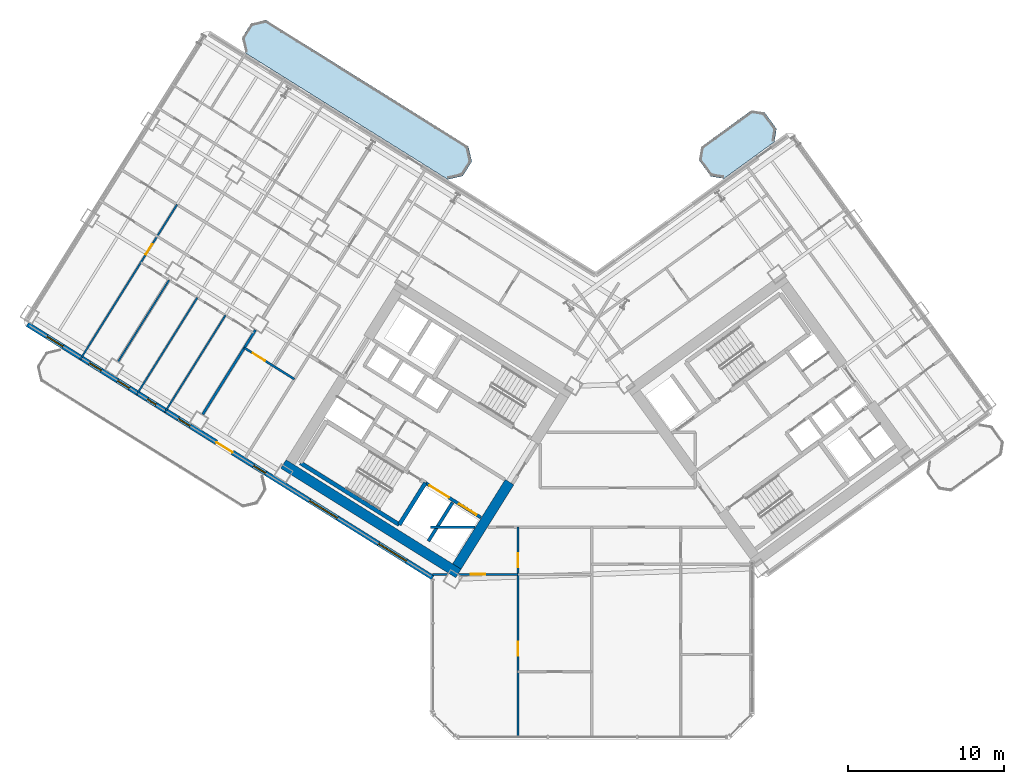
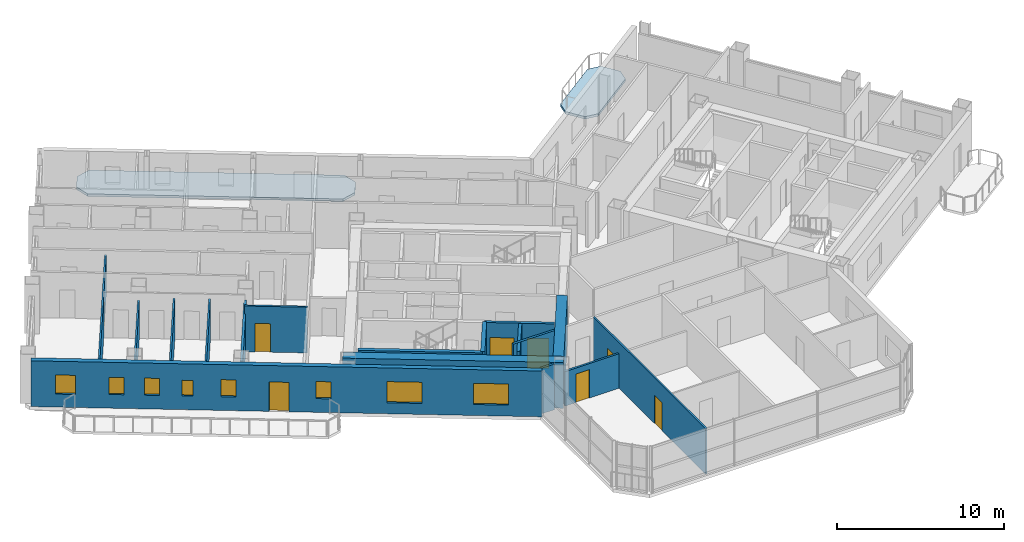
# One storey, part 11 of 21: 17 walls, 8 doors, 8 windows, 2 slabs, 16 openings.
"""IFC4 building model written with IfcOpenShell, lengths in metres."""

from ifc_helpers import new_model, si_unit, direction, frame, frame_2d, origin, place, context, subcontext, project, spatial, polyline, rectangle, outline, extrude, source, transform, mapped, material, layer, layer_set, type_object, element, fill, save


model = new_model("IFC4")

# Units and contexts
model_context = context("Model", 3, precision=1e-05, world=origin(), true_north=direction((0.0, 1.0)))
body_context = subcontext(model_context, "Body", "Model", "MODEL_VIEW")
ifc_project = project(units=[si_unit("LENGTHUNIT", "METRE"), si_unit("AREAUNIT", "SQUARE_METRE"), si_unit("VOLUMEUNIT", "CUBIC_METRE"), si_unit("PLANEANGLEUNIT", "RADIAN"), si_unit("MASSUNIT", "GRAM", prefix="KILO")], contexts=[model_context])

# Site, building, storey
site_placement = place(None, origin())
site = spatial("IfcSite", under=ifc_project, at=site_placement, CompositionType="ELEMENT")
building_placement = place(site_placement, origin())
building = spatial("IfcBuilding", under=site, at=building_placement, Name="Tlacorven Tower", CompositionType="ELEMENT")
storey_placement = place(building_placement, frame((0.0, 0.0, 90.0)))
storey = spatial("IfcBuildingStorey", under=building, at=storey_placement, Name="L22", CompositionType="ELEMENT", Elevation=90.0)

# Slabs
ifc_material_1 = material(Name="Precast concrete C45/55", Category="concrete")
ifc_layer_1 = layer(ifc_material_1, 0.179931640625)
ifc_layer_set_1 = layer_set([ifc_layer_1], Name="Precast concrete C45/55")
slab_type = type_object("IfcSlabType", Name="SL-BAL-180", PredefinedType="USERDEFINED", material=ifc_layer_set_1)
slab_1_placement = place(storey_placement, frame((0.0, 0.0, -0.179931640625)))
element("IfcSlab", 1, at=slab_1_placement, inside=storey, type_object=slab_type, Name="L22 West Wing Balcony Ribbon IN", ObjectType="BALCONY SLAB", PredefinedType="USERDEFINED", context=body_context, shape_type="SweptSolid", body=[
    extrude(outline(polyline([(34.0419921875, 39.835693359375), (21.06689453125, 47.943359375), (20.102294921875, 47.720703125), (19.52197265625, 46.7919921875), (19.744873046875, 45.827392578125), (32.719970703125, 37.7197265625), (33.6845703125, 37.9423828125), (34.2646484375, 38.87109375), (34.0419921875, 39.835693359375)])), origin(), (0.0, 0.0, 1.0), 0.179931640625),
])
slab_2_placement = place(storey_placement, frame((0.0, 0.0, -0.179931640625)))
element("IfcSlab", 2, at=slab_2_placement, inside=storey, type_object=slab_type, Name="L22 East Wing Balcony Ribbon IN", ObjectType="BALCONY SLAB", PredefinedType="USERDEFINED", context=body_context, shape_type="SweptSolid", body=[
    extrude(outline(polyline([(50.433837890625, 37.77880859375), (53.669921875, 40.1298828125), (53.802490234375, 40.968017578125), (53.04150390625, 42.015625), (52.203369140625, 42.1484375), (48.96728515625, 39.79736328125), (48.83447265625, 38.959228515625), (49.595703125, 37.91162109375), (50.433837890625, 37.77880859375)])), origin(), (0.0, 0.0, 1.0), 0.179931640625),
])

# Walls
ifc_material_2 = material(Name="Concrete C60/75", Category="concrete")
ifc_layer_2 = layer(ifc_material_2, 0.64990234375)
ifc_layer_set_2 = layer_set([ifc_layer_2], Name="Concrete C60/75")
wall_type_1 = type_object("IfcWallType", Name="WL-COR-650", PredefinedType="SHEAR", material=ifc_layer_set_2)
wall_1_placement = place(storey_placement, frame((33.40869140625, 12.449951171875, 0.0), z_axis=(0.0, 0.0, 1.0), x_axis=(-0.848051132073, 0.529914405721, 0.0)))
element("IfcWall", 3, at=wall_1_placement, inside=storey, type_object=wall_type_1, Name="L22 W core shear wall S2", PredefinedType="SHEAR", context=body_context, shape_type="SweptSolid", body=[
    extrude(rectangle(XDim=13.239990234375, YDim=0.64990234375, at=frame_2d((6.6201171875, 0.0))), origin(), (0.0, 0.0, 1.0), 3.35009765625),
])
wall_2_placement = place(storey_placement, frame((36.683349609375, 18.30419921875, 0.0), z_axis=(0.0, 0.0, 1.0), x_axis=(-0.529899109053, -0.848060690178, 0.0)))
element("IfcWall", 4, at=wall_2_placement, inside=storey, type_object=wall_type_1, Name="L22 W core end wall E1.2", PredefinedType="SHEAR", context=body_context, shape_type="SweptSolid", body=[
    extrude(rectangle(XDim=6.375244140625, YDim=0.64990234375, at=frame_2d((3.1875, 0.0))), origin(), (0.0, 0.0, 1.0), 3.35009765625),
])
ifc_material_3 = material(Name="Gypsum plasterboard acoustic partition", Category="gypsum")
ifc_layer_3 = layer(ifc_material_3, 0.159912109375)
ifc_layer_set_3 = layer_set([ifc_layer_3], Name="Gypsum plasterboard acoustic partition")
wall_type_2 = type_object("IfcWallType", Name="WL-DEM-160", PredefinedType="PARTITIONING", material=ifc_layer_set_3)
wall_3_placement = place(storey_placement, frame((20.38720703125, 28.060302734375, 0.0), z_axis=(0.0, 0.0, 1.0), x_axis=(-0.529902564924, -0.848058530814, 0.0)))
element("IfcWall", 5, at=wall_3_placement, inside=storey, type_object=wall_type_2, Name="L22 WN Demising Wall 1", PredefinedType="PARTITIONING", context=body_context, shape_type="SweptSolid", body=[
    extrude(rectangle(XDim=6.3759765625, YDim=0.159912109375, at=frame_2d((3.18798828125, 0.0))), origin(), (0.0, 0.0, 1.0), 2.77490234375),
])
wall_4_placement = place(storey_placement, frame((31.60009765625, 15.419921875, 0.0), z_axis=(0.0, 0.0, 1.0), x_axis=(1.0, 0.0, 0.0)))
element("IfcWall", 6, at=wall_4_placement, inside=storey, type_object=wall_type_2, Name="L22 Knuckle Corridor South Wall", PredefinedType="PARTITIONING", context=body_context, shape_type="SweptSolid", body=[
    extrude(rectangle(XDim=2.8662109375, YDim=0.159912109375, at=frame_2d((1.43310546875, 0.0))), origin(), (0.0, 0.0, 1.0), 3.340087890625),
])

# Wall, openings, door, windows
ifc_layer_4 = layer(ifc_material_1, 0.320068359375)
ifc_layer_set_4 = layer_set([ifc_layer_4], Name="Precast concrete C45/55")
wall_type_3 = type_object("IfcWallType", Name="WL-EXT-320", PredefinedType="STANDARD", material=ifc_layer_set_4)
wall_5_placement = place(storey_placement, frame((31.760009765625, 12.18310546875, 0.0), z_axis=(0.0, 0.0, 1.0), x_axis=(-0.848047074256, 0.529920899612, 0.0)))
wall_5 = element("IfcWall", 7, at=wall_5_placement, inside=storey, type_object=wall_type_3, Name="L22 Masonry-Frame Recessed Facade Wall 1", PredefinedType="STANDARD", context=body_context, shape_type="SweptSolid", body=[
    extrude(rectangle(XDim=30.652099609375, YDim=0.320068359375, at=frame_2d((15.326171875, 0.0))), origin(), (0.0, 0.0, 1.0), 3.35009765625),
])
opening_1_placement = place(wall_5_placement, frame((15.1533203125, 0.0, 0.0)))
opening_1 = element("IfcOpeningElement", 8, at=opening_1_placement, cuts=wall_5, Name="Opening D05", PredefinedType="OPENING", context=body_context, shape_type="SweptSolid", body=[
    extrude(rectangle(XDim=1.199951171875, YDim=2.14990234375, at=frame_2d((0.60009765625, 1.074951171875))), frame((0.0, 0.169921875, 0.0), z_axis=(0.0, -1.0, 0.0), x_axis=(1.0, 0.0, 0.0)), (0.0, 0.0, 1.0), 0.340087890625),
])
opening_2_placement = place(wall_5_placement, frame((2.002197265625, 0.0, 0.800048828125)))
opening_2 = element("IfcOpeningElement", 9, at=opening_2_placement, cuts=wall_5, Name="Opening WN04", PredefinedType="OPENING", context=body_context, shape_type="SweptSolid", body=[
    extrude(rectangle(XDim=2.10009765625, YDim=1.550048828125, at=frame_2d((1.050048828125, 0.77490234375))), frame((0.0, 0.169921875, 0.0), z_axis=(0.0, -1.0, 0.0), x_axis=(1.0, 0.0, 0.0)), (0.0, 0.0, 1.0), 0.340087890625),
])
opening_3_placement = place(wall_5_placement, frame((7.206298828125, 0.0, 0.800048828125)))
opening_3 = element("IfcOpeningElement", 10, at=opening_3_placement, cuts=wall_5, Name="Opening WN04", PredefinedType="OPENING", context=body_context, shape_type="SweptSolid", body=[
    extrude(rectangle(XDim=2.10009765625, YDim=1.550048828125, at=frame_2d((1.050048828125, 0.77490234375))), frame((0.0, 0.169921875, 0.0), z_axis=(0.0, -1.0, 0.0), x_axis=(1.0, 0.0, 0.0)), (0.0, 0.0, 1.0), 0.340087890625),
])
opening_4_placement = place(wall_5_placement, frame((12.648193359375, 0.0, 1.0)))
opening_4 = element("IfcOpeningElement", 11, at=opening_4_placement, cuts=wall_5, Name="Opening WN05", PredefinedType="OPENING", context=body_context, shape_type="SweptSolid", body=[
    extrude(rectangle(XDim=0.89990234375, YDim=1.25, at=frame_2d((0.449951171875, 0.625))), frame((0.0, 0.169921875, 0.0), z_axis=(0.0, -1.0, 0.0), x_axis=(1.0, 0.0, 0.0)), (0.0, 0.0, 1.0), 0.340087890625),
])
opening_5_placement = place(wall_5_placement, frame((27.974365234375, 0.0, 0.949951171875)))
opening_5 = element("IfcOpeningElement", 12, at=opening_5_placement, cuts=wall_5, Name="Opening WN03", PredefinedType="OPENING", context=body_context, shape_type="SweptSolid", body=[
    extrude(rectangle(XDim=1.199951171875, YDim=1.39990234375, at=frame_2d((0.60009765625, 0.699951171875))), frame((0.0, 0.169921875, 0.0), z_axis=(0.0, -1.0, 0.0), x_axis=(1.0, 0.0, 0.0)), (0.0, 0.0, 1.0), 0.340087890625),
])
opening_6_placement = place(wall_5_placement, frame((18.3466796875, 0.0, 1.0)))
opening_6 = element("IfcOpeningElement", 13, at=opening_6_placement, cuts=wall_5, Name="Opening WN05", PredefinedType="OPENING", context=body_context, shape_type="SweptSolid", body=[
    extrude(rectangle(XDim=0.89990234375, YDim=1.25, at=frame_2d((0.449951171875, 0.625))), frame((0.0, 0.169921875, 0.0), z_axis=(0.0, -1.0, 0.0), x_axis=(1.0, 0.0, 0.0)), (0.0, 0.0, 1.0), 0.340087890625),
])
opening_7_placement = place(wall_5_placement, frame((20.931396484375, 0.0, 1.0)))
opening_7 = element("IfcOpeningElement", 14, at=opening_7_placement, cuts=wall_5, Name="Opening WN21", PredefinedType="OPENING", context=body_context, shape_type="SweptSolid", body=[
    extrude(rectangle(XDim=0.64990234375, YDim=1.14990234375, at=frame_2d((0.324951171875, 0.574951171875))), frame((0.0, 0.169921875, 0.0), z_axis=(0.0, -1.0, 0.0), x_axis=(1.0, 0.0, 0.0)), (0.0, 0.0, 1.0), 0.340087890625),
])
opening_8_placement = place(wall_5_placement, frame((22.937744140625, 0.0, 1.0)))
opening_8 = element("IfcOpeningElement", 15, at=opening_8_placement, cuts=wall_5, Name="Opening WN05", PredefinedType="OPENING", context=body_context, shape_type="SweptSolid", body=[
    extrude(rectangle(XDim=0.89990234375, YDim=1.25, at=frame_2d((0.449951171875, 0.625))), frame((0.0, 0.169921875, 0.0), z_axis=(0.0, -1.0, 0.0), x_axis=(1.0, 0.0, 0.0)), (0.0, 0.0, 1.0), 0.340087890625),
])
opening_9_placement = place(wall_5_placement, frame((25.0693359375, 0.0, 1.0)))
opening_9 = element("IfcOpeningElement", 16, at=opening_9_placement, cuts=wall_5, Name="Opening WN05", PredefinedType="OPENING", context=body_context, shape_type="SweptSolid", body=[
    extrude(rectangle(XDim=0.89990234375, YDim=1.25, at=frame_2d((0.449951171875, 0.625))), frame((0.0, 0.169921875, 0.0), z_axis=(0.0, -1.0, 0.0), x_axis=(1.0, 0.0, 0.0)), (0.0, 0.0, 1.0), 0.340087890625),
])
ifc_material_4 = material(Name="Powder-coated aluminium and timber door", Category="wood")
door_type_1 = type_object("IfcDoorType", Name="DR-EXT-BALC-1200", OperationType="NOTDEFINED", PredefinedType="DOOR", material=ifc_material_4)
shared_shape_1 = source(origin(), body_context, "Body", "SweptSolid", [
    extrude(rectangle(XDim=1.199951171875, YDim=2.14990234375, at=frame_2d((0.60009765625, 1.074951171875))), frame((0.0, 0.02490234375, 0.0), z_axis=(0.0, -1.0, 0.0), x_axis=(1.0, 0.0, 0.0)), (0.0, 0.0, 1.0), 0.050048828125),
])
door_1_placement = place(opening_1_placement, origin())
door_1 = element("IfcDoor", 17, at=door_1_placement, inside=storey, type_object=door_type_1, Name="L22 Outdoor Access Door BAL-L22-W-OUT", OperationType="SINGLE_SWING_LEFT", OverallHeight=2.14990234375, OverallWidth=1.199951171875, PredefinedType="DOOR", context=body_context, shape_type="MappedRepresentation", body=[
    mapped(shared_shape_1, transform((0.0, 0.0, 0.0), scale=1.0)),
])
fill(opening_1, door_1)
ifc_material_5 = material(Name="Dark solar low-E double glazing in anodised aluminium frame", Category="aluminium")
window_type_1 = type_object("IfcWindowType", Name="WN-APT-2100X1750", PartitioningType="SINGLE_PANEL", PredefinedType="WINDOW", material=ifc_material_5)
shared_shape_2 = source(origin(), body_context, "Body", "SweptSolid", [
    extrude(rectangle(XDim=2.10009765625, YDim=1.550048828125, at=frame_2d((1.050048828125, 0.77490234375))), frame((0.0, 0.030029296875, 0.0), z_axis=(0.0, -1.0, 0.0), x_axis=(1.0, 0.0, 0.0)), (0.0, 0.0, 1.0), 0.06005859375),
])
window_1_placement = place(opening_2_placement, origin())
window_1 = element("IfcWindow", 18, at=window_1_placement, inside=storey, type_object=window_type_1, Name="L22 Recessed Masonry-Frame Window L22-01.1", OverallHeight=1.550048828125, OverallWidth=2.10009765625, PartitioningType="SINGLE_PANEL", PredefinedType="WINDOW", context=body_context, shape_type="MappedRepresentation", body=[
    mapped(shared_shape_2, transform((0.0, 0.0, 0.0), scale=1.0)),
])
fill(opening_2, window_1)
window_2_placement = place(opening_3_placement, origin())
window_2 = element("IfcWindow", 19, at=window_2_placement, inside=storey, type_object=window_type_1, Name="L22 Recessed Masonry-Frame Window L22-01.2", OverallHeight=1.550048828125, OverallWidth=2.10009765625, PartitioningType="SINGLE_PANEL", PredefinedType="WINDOW", context=body_context, shape_type="MappedRepresentation", body=[
    mapped(shared_shape_2, transform((0.0, 0.0, 0.0), scale=1.0)),
])
fill(opening_3, window_2)
window_type_2 = type_object("IfcWindowType", Name="WN-APT-1200X1500", PartitioningType="SINGLE_PANEL", PredefinedType="WINDOW", material=ifc_material_5)
shared_shape_3 = source(origin(), body_context, "Body", "SweptSolid", [
    extrude(rectangle(XDim=1.199951171875, YDim=1.39990234375, at=frame_2d((0.60009765625, 0.699951171875))), frame((0.0, 0.030029296875, 0.0), z_axis=(0.0, -1.0, 0.0), x_axis=(1.0, 0.0, 0.0)), (0.0, 0.0, 1.0), 0.06005859375),
])
window_3_placement = place(opening_5_placement, origin())
window_3 = element("IfcWindow", 20, at=window_3_placement, inside=storey, type_object=window_type_2, Name="L22 Recessed Masonry-Frame Window L22-01.4", OverallHeight=1.39990234375, OverallWidth=1.199951171875, PartitioningType="SINGLE_PANEL", PredefinedType="WINDOW", context=body_context, shape_type="MappedRepresentation", body=[
    mapped(shared_shape_3, transform((0.0, 0.0, 0.0), scale=1.0)),
])
fill(opening_5, window_3)
window_type_3 = type_object("IfcWindowType", Name="WN-APT-0900X1350", PartitioningType="SINGLE_PANEL", PredefinedType="WINDOW", material=ifc_material_5)
shared_shape_4 = source(origin(), body_context, "Body", "SweptSolid", [
    extrude(rectangle(XDim=0.89990234375, YDim=1.25, at=frame_2d((0.449951171875, 0.625))), frame((0.0, 0.030029296875, 0.0), z_axis=(0.0, -1.0, 0.0), x_axis=(1.0, 0.0, 0.0)), (0.0, 0.0, 1.0), 0.06005859375),
])
window_4_placement = place(opening_4_placement, origin())
window_4 = element("IfcWindow", 21, at=window_4_placement, inside=storey, type_object=window_type_3, Name="L22 Recessed Masonry-Frame Window L22-01.3", OverallHeight=1.25, OverallWidth=0.89990234375, PartitioningType="SINGLE_PANEL", PredefinedType="WINDOW", context=body_context, shape_type="MappedRepresentation", body=[
    mapped(shared_shape_4, transform((0.0, 0.0, 0.0), scale=1.0)),
])
fill(opening_4, window_4)
window_5_placement = place(opening_6_placement, origin())
window_5 = element("IfcWindow", 22, at=window_5_placement, inside=storey, type_object=window_type_3, Name="L22 Dwelling Daylight Window L22-U02-BD1", OverallHeight=1.25, OverallWidth=0.89990234375, PartitioningType="SINGLE_PANEL", PredefinedType="WINDOW", context=body_context, shape_type="MappedRepresentation", body=[
    mapped(shared_shape_4, transform((0.0, 0.0, 0.0), scale=1.0)),
])
fill(opening_6, window_5)
window_6_placement = place(opening_8_placement, origin())
window_6 = element("IfcWindow", 23, at=window_6_placement, inside=storey, type_object=window_type_3, Name="L22 Dwelling Daylight Window L22-U02-BD3", OverallHeight=1.25, OverallWidth=0.89990234375, PartitioningType="SINGLE_PANEL", PredefinedType="WINDOW", context=body_context, shape_type="MappedRepresentation", body=[
    mapped(shared_shape_4, transform((0.0, 0.0, 0.0), scale=1.0)),
])
fill(opening_8, window_6)
window_7_placement = place(opening_9_placement, origin())
window_7 = element("IfcWindow", 24, at=window_7_placement, inside=storey, type_object=window_type_3, Name="L22 Dwelling Daylight Window L22-U02-BD4", OverallHeight=1.25, OverallWidth=0.89990234375, PartitioningType="SINGLE_PANEL", PredefinedType="WINDOW", context=body_context, shape_type="MappedRepresentation", body=[
    mapped(shared_shape_4, transform((0.0, 0.0, 0.0), scale=1.0)),
])
fill(opening_9, window_7)
window_type_4 = type_object("IfcWindowType", Name="WN-APT-0650X1150", PartitioningType="SINGLE_PANEL", PredefinedType="WINDOW", material=ifc_material_5)
shared_shape_5 = source(origin(), body_context, "Body", "SweptSolid", [
    extrude(rectangle(XDim=0.64990234375, YDim=1.14990234375, at=frame_2d((0.324951171875, 0.574951171875))), frame((0.0, 0.030029296875, 0.0), z_axis=(0.0, -1.0, 0.0), x_axis=(1.0, 0.0, 0.0)), (0.0, 0.0, 1.0), 0.06005859375),
])
window_8_placement = place(opening_7_placement, origin())
window_8 = element("IfcWindow", 25, at=window_8_placement, inside=storey, type_object=window_type_4, Name="L22 Dwelling Daylight Window L22-U02-BD2", OverallHeight=1.14990234375, OverallWidth=0.64990234375, PartitioningType="SINGLE_PANEL", PredefinedType="WINDOW", context=body_context, shape_type="MappedRepresentation", body=[
    mapped(shared_shape_5, transform((0.0, 0.0, 0.0), scale=1.0)),
])
fill(opening_7, window_8)

# Wall, opening, door
ifc_material_6 = material(Name="Gypsum plasterboard partition", Category="gypsum")
ifc_layer_5 = layer(ifc_material_6, 0.110107421875)
ifc_layer_set_5 = layer_set([ifc_layer_5], Name="Gypsum plasterboard partition")
wall_type_4 = type_object("IfcWallType", Name="WL-INT-110", PredefinedType="PARTITIONING", material=ifc_layer_set_5)
wall_6_placement = place(storey_placement, frame((15.361328125, 36.1083984375, 0.0), z_axis=(0.0, 0.0, 1.0), x_axis=(-0.529912802348, -0.848052133956, 0.0)))
wall_6 = element("IfcWall", 26, at=wall_6_placement, inside=storey, type_object=wall_type_4, Name="L22 partition 59", PredefinedType="PARTITIONING", context=body_context, shape_type="SweptSolid", body=[
    extrude(rectangle(XDim=11.7197265625, YDim=0.110107421875, at=frame_2d((5.85986328125, 0.0))), origin(), (0.0, 0.0, 1.0), 2.9951171875),
])
opening_10_placement = place(wall_6_placement, frame((3.0, 0.0, 0.0)))
opening_10 = element("IfcOpeningElement", 27, at=opening_10_placement, cuts=wall_6, Name="Opening D22", PredefinedType="OPENING", context=body_context, shape_type="SweptSolid", body=[
    extrude(rectangle(XDim=0.780029296875, YDim=2.050048828125, at=frame_2d((0.39013671875, 1.02490234375))), frame((0.0, 0.06494140625, 0.0), z_axis=(0.0, -1.0, 0.0), x_axis=(1.0, 0.0, 0.0)), (0.0, 0.0, 1.0), 0.130126953125),
])
door_type_2 = type_object("IfcDoorType", Name="DR-INT-WET-0780", OperationType="NOTDEFINED", PredefinedType="DOOR", material=ifc_material_4)
shared_shape_6 = source(origin(), body_context, "Body", "SweptSolid", [
    extrude(rectangle(XDim=0.780029296875, YDim=2.050048828125, at=frame_2d((0.39013671875, 1.02490234375))), frame((0.0, 0.02490234375, 0.0), z_axis=(0.0, -1.0, 0.0), x_axis=(1.0, 0.0, 0.0)), (0.0, 0.0, 1.0), 0.050048828125),
])
door_2_placement = place(opening_10_placement, origin())
door_2 = element("IfcDoor", 28, at=door_2_placement, inside=storey, type_object=door_type_2, Name="L22 door 029", OperationType="SINGLE_SWING_LEFT", OverallHeight=2.050048828125, OverallWidth=0.780029296875, PredefinedType="DOOR", context=body_context, shape_type="MappedRepresentation", body=[
    mapped(shared_shape_6, transform((0.0, 0.0, 0.0), scale=1.0)),
])
fill(opening_10, door_2)

# Walls
for number, where, z_axis, x_axis, name in (
    (29, (18.463623046875, 29.005126953125, 0.0), (0.0, 0.0, 1.0), (-0.529927182287, -0.848043148356, 0.0), "L22 partition 65"),
    (30, (16.655517578125, 30.135009765625, 0.0), (0.0, 0.0, 1.0), (-0.529927182287, -0.848043148356, 0.0), "L22 partition 66"),
):
    element("IfcWall", number, at=place(storey_placement, frame(where, z_axis=z_axis, x_axis=x_axis)), inside=storey, type_object=wall_type_4, Name=name, PredefinedType="PARTITIONING", context=body_context, shape_type="SweptSolid", body=[
        extrude(rectangle(XDim=7.340087890625, YDim=0.110107421875, at=frame_2d((3.669921875, 0.0))), origin(), (0.0, 0.0, 1.0), 2.9951171875),
    ])
wall_7_placement = place(storey_placement, frame((14.848388671875, 31.26416015625, 0.0), z_axis=(0.0, 0.0, 1.0), x_axis=(-0.529920534869, -0.848047302174, 0.0)))
element("IfcWall", 31, at=wall_7_placement, inside=storey, type_object=wall_type_4, Name="L22 partition 67", PredefinedType="PARTITIONING", context=body_context, shape_type="SweptSolid", body=[
    extrude(rectangle(XDim=6.157958984375, YDim=0.110107421875, at=frame_2d((3.0791015625, 0.0))), origin(), (0.0, 0.0, 1.0), 2.77490234375),
])

# Wall, openings, doors
wall_8_placement = place(storey_placement, frame((37.221923828125, 1.9599609375, 0.0), z_axis=(0.0, 0.0, 1.0), x_axis=(0.0, 1.0, 0.0)))
wall_8 = element("IfcWall", 32, at=wall_8_placement, inside=storey, type_object=wall_type_4, Name="L22 partition 91", PredefinedType="PARTITIONING", context=body_context, shape_type="SweptSolid", body=[
    extrude(rectangle(XDim=13.4599609375, YDim=0.110107421875, at=frame_2d((6.72998046875, 0.0))), origin(), (0.0, 0.0, 1.0), 3.340087890625),
])
opening_11_placement = place(wall_8_placement, frame((5.199951171875, 0.0, 0.0)))
opening_11 = element("IfcOpeningElement", 33, at=opening_11_placement, cuts=wall_8, Name="Opening D12", PredefinedType="OPENING", context=body_context, shape_type="SweptSolid", body=[
    extrude(rectangle(XDim=0.919921875, YDim=2.080078125, at=frame_2d((0.4599609375, 1.0400390625))), frame((0.0, 0.06494140625, 0.0), z_axis=(0.0, -1.0, 0.0), x_axis=(1.0, 0.0, 0.0)), (0.0, 0.0, 1.0), 0.130126953125),
])
opening_12_placement = place(wall_8_placement, frame((10.889892578125, 0.0, 0.0)))
opening_12 = element("IfcOpeningElement", 34, at=opening_12_placement, cuts=wall_8, Name="Opening D13", PredefinedType="OPENING", context=body_context, shape_type="SweptSolid", body=[
    extrude(rectangle(XDim=0.8798828125, YDim=2.080078125, at=frame_2d((0.43994140625, 1.0400390625))), frame((0.0, 0.06494140625, 0.0), z_axis=(0.0, -1.0, 0.0), x_axis=(1.0, 0.0, 0.0)), (0.0, 0.0, 1.0), 0.130126953125),
])
door_type_3 = type_object("IfcDoorType", Name="DR-INT-WET-0880", OperationType="NOTDEFINED", PredefinedType="DOOR", material=ifc_material_4)
shared_shape_7 = source(origin(), body_context, "Body", "SweptSolid", [
    extrude(rectangle(XDim=0.8798828125, YDim=2.080078125, at=frame_2d((0.43994140625, 1.0400390625))), frame((0.0, 0.02490234375, 0.0), z_axis=(0.0, -1.0, 0.0), x_axis=(1.0, 0.0, 0.0)), (0.0, 0.0, 1.0), 0.050048828125),
])
door_3_placement = place(opening_12_placement, origin())
door_3 = element("IfcDoor", 35, at=door_3_placement, inside=storey, type_object=door_type_3, Name="L22 door 058", OperationType="SINGLE_SWING_RIGHT", OverallHeight=2.080078125, OverallWidth=0.8798828125, PredefinedType="DOOR", context=body_context, shape_type="MappedRepresentation", body=[
    mapped(shared_shape_7, transform((0.0, 0.0, 0.0), scale=1.0)),
])
fill(opening_12, door_3)
door_type_4 = type_object("IfcDoorType", Name="DR-INT-ROOM-0920", OperationType="NOTDEFINED", PredefinedType="DOOR", material=ifc_material_4)
shared_shape_8 = source(origin(), body_context, "Body", "SweptSolid", [
    extrude(rectangle(XDim=0.919921875, YDim=2.080078125, at=frame_2d((0.4599609375, 1.0400390625))), frame((0.0, 0.02490234375, 0.0), z_axis=(0.0, -1.0, 0.0), x_axis=(1.0, 0.0, 0.0)), (0.0, 0.0, 1.0), 0.050048828125),
])
door_4_placement = place(opening_11_placement, origin())
door_4 = element("IfcDoor", 36, at=door_4_placement, inside=storey, type_object=door_type_4, Name="L22 door 054", OperationType="SINGLE_SWING_RIGHT", OverallHeight=2.080078125, OverallWidth=0.919921875, PredefinedType="DOOR", context=body_context, shape_type="MappedRepresentation", body=[
    mapped(shared_shape_8, transform((0.0, 0.0, 0.0), scale=1.0)),
])
fill(opening_11, door_4)

# Wall, opening, door
ifc_material_7 = material(Name="Moisture-resistant gypsum plumbing wall", Category="gypsum")
ifc_layer_6 = layer(ifc_material_7, 0.139892578125)
ifc_layer_set_6 = layer_set([ifc_layer_6], Name="Moisture-resistant gypsum plumbing wall")
wall_type_5 = type_object("IfcWallType", Name="WL-PLM-140", PredefinedType="PLUMBINGWALL", material=ifc_layer_set_6)
wall_9_placement = place(storey_placement, frame((22.886962890625, 24.90869140625, 0.0), z_axis=(0.0, 0.0, 1.0), x_axis=(-0.84803087207, 0.529946827537, 0.0)))
wall_9 = element("IfcWall", 37, at=wall_9_placement, inside=storey, type_object=wall_type_5, Name="L22 partition 57", PredefinedType="PLUMBINGWALL", context=body_context, shape_type="SweptSolid", body=[
    extrude(rectangle(XDim=3.7900390625, YDim=0.139892578125, at=frame_2d((1.89501953125, 0.0))), origin(), (0.0, 0.0, 1.0), 3.340087890625),
])
opening_13_placement = place(wall_9_placement, frame((2.22998046875, 0.0, 0.0)))
opening_13 = element("IfcOpeningElement", 38, at=opening_13_placement, cuts=wall_9, Name="Opening D12", PredefinedType="OPENING", context=body_context, shape_type="SweptSolid", body=[
    extrude(rectangle(XDim=0.919921875, YDim=2.080078125, at=frame_2d((0.4599609375, 1.0400390625))), frame((0.0, 0.080078125, 0.0), z_axis=(0.0, -1.0, 0.0), x_axis=(1.0, 0.0, 0.0)), (0.0, 0.0, 1.0), 0.159912109375),
])
door_5_placement = place(opening_13_placement, origin())
door_5 = element("IfcDoor", 39, at=door_5_placement, inside=storey, type_object=door_type_4, Name="L22 door 024", OperationType="SINGLE_SWING_RIGHT", OverallHeight=2.080078125, OverallWidth=0.919921875, PredefinedType="DOOR", context=body_context, shape_type="MappedRepresentation", body=[
    mapped(shared_shape_8, transform((0.0, 0.0, 0.0), scale=1.0)),
])
fill(opening_13, door_5)

# Wall
wall_10_placement = place(storey_placement, frame((31.739990234375, 12.389892578125, 0.0), z_axis=(0.0, 0.0, 1.0), x_axis=(1.0, 0.0, 0.0)))
element("IfcWall", 40, at=wall_10_placement, inside=storey, type_object=wall_type_5, Name="L22 partition 92", PredefinedType="PLUMBINGWALL", context=body_context, shape_type="SweptSolid", body=[
    extrude(rectangle(XDim=0.95068359375, YDim=0.139892578125, at=frame_2d((0.475341796875, 0.0))), origin(), (0.0, 0.0, 1.0), 3.340087890625),
])

# Wall, opening, door
wall_11_placement = place(storey_placement, frame((33.432861328125, 12.389892578125, 0.0), z_axis=(0.0, 0.0, 1.0), x_axis=(1.0, 0.0, 0.0)))
wall_11 = element("IfcWall", 41, at=wall_11_placement, inside=storey, type_object=wall_type_5, Name="L22 partition 92", PredefinedType="PLUMBINGWALL", context=body_context, shape_type="SweptSolid", body=[
    extrude(rectangle(XDim=3.7890625, YDim=0.139892578125, at=frame_2d((1.89453125, 0.0))), origin(), (0.0, 0.0, 1.0), 2.52490234375),
])
opening_14_placement = place(wall_11_placement, frame((0.76806640625, 0.0, 0.0)))
opening_14 = element("IfcOpeningElement", 42, at=opening_14_placement, cuts=wall_11, Name="Opening D12", PredefinedType="OPENING", context=body_context, shape_type="SweptSolid", body=[
    extrude(rectangle(XDim=0.919921875, YDim=2.080078125, at=frame_2d((0.4599609375, 1.0400390625))), frame((0.0, 0.080078125, 0.0), z_axis=(0.0, -1.0, 0.0), x_axis=(1.0, 0.0, 0.0)), (0.0, 0.0, 1.0), 0.159912109375),
])
door_6_placement = place(opening_14_placement, frame((0.919921875, 0.0, 0.0), z_axis=(0.0, 0.0, 1.0), x_axis=(-1.0, 0.0, 0.0)))
door_6 = element("IfcDoor", 43, at=door_6_placement, inside=storey, type_object=door_type_4, Name="L22 door 057", OperationType="SINGLE_SWING_RIGHT", OverallHeight=2.080078125, OverallWidth=0.919921875, PredefinedType="DOOR", context=body_context, shape_type="MappedRepresentation", body=[
    mapped(shared_shape_8, transform((0.0, 0.0, 0.0), scale=1.0)),
])
fill(opening_14, door_6)

# Wall, openings, doors
ifc_material_8 = material(Name="Concrete C40/50", Category="concrete")
ifc_layer_7 = layer(ifc_material_8, 0.199951171875)
ifc_layer_set_7 = layer_set([ifc_layer_7], Name="Concrete C40/50")
wall_type_6 = type_object("IfcWallType", Name="WL-SHF-200", PredefinedType="STANDARD", material=ifc_layer_set_7)
wall_12_placement = place(storey_placement, frame((34.84814453125, 16.03125, 0.0), z_axis=(0.0, 0.0, 1.0), x_axis=(-0.848044042236, 0.529925751807, 0.0)))
wall_12 = element("IfcWall", 44, at=wall_12_placement, inside=storey, type_object=wall_type_6, Name="L22 Core W Firefighting Lift Shaft Front Wall", PredefinedType="STANDARD", context=body_context, shape_type="SweptSolid", body=[
    extrude(rectangle(XDim=4.197998046875, YDim=0.199951171875, at=frame_2d((2.09912109375, 0.0))), origin(), (0.0, 0.0, 1.0), 3.340087890625),
])
opening_15_placement = place(wall_12_placement, frame((0.347900390625, 0.0, 0.0)))
opening_15 = element("IfcOpeningElement", 45, at=opening_15_placement, cuts=wall_12, Name="Opening LD03", PredefinedType="OPENING", context=body_context, shape_type="SweptSolid", body=[
    extrude(rectangle(XDim=1.300048828125, YDim=2.199951171875, at=frame_2d((0.64990234375, 1.10009765625))), frame((0.0, 0.10986328125, 0.0), z_axis=(0.0, -1.0, 0.0), x_axis=(1.0, 0.0, 0.0)), (0.0, 0.0, 1.0), 0.219970703125),
])
opening_16_placement = place(wall_12_placement, frame((2.423095703125, 0.0, 0.0)))
opening_16 = element("IfcOpeningElement", 46, at=opening_16_placement, cuts=wall_12, Name="Opening LD04", PredefinedType="OPENING", context=body_context, shape_type="SweptSolid", body=[
    extrude(rectangle(XDim=1.449951171875, YDim=2.25, at=frame_2d((0.72509765625, 1.125))), frame((0.0, 0.10986328125, 0.0), z_axis=(0.0, -1.0, 0.0), x_axis=(1.0, 0.0, 0.0)), (0.0, 0.0, 1.0), 0.219970703125),
])
ifc_material_9 = material(Name="Fire-rated steel door assembly", Category="steel")
door_type_5 = type_object("IfcDoorType", Name="DR-LFT-SLID-1300", OperationType="DOUBLE_DOOR_SLIDING", PredefinedType="DOOR", material=ifc_material_9)
shared_shape_9 = source(origin(), body_context, "Body", "SweptSolid", [
    extrude(rectangle(XDim=1.300048828125, YDim=2.199951171875, at=frame_2d((0.64990234375, 1.10009765625))), frame((0.0, 0.02490234375, 0.0), z_axis=(0.0, -1.0, 0.0), x_axis=(1.0, 0.0, 0.0)), (0.0, 0.0, 1.0), 0.050048828125),
])
door_7_placement = place(opening_15_placement, origin())
door_7 = element("IfcDoor", 47, at=door_7_placement, inside=storey, type_object=door_type_5, Name="L22 Lift FFL-W1 Sliding Landing Door", OperationType="DOUBLE_DOOR_SLIDING", OverallHeight=2.199951171875, OverallWidth=1.300048828125, PredefinedType="DOOR", context=body_context, shape_type="MappedRepresentation", body=[
    mapped(shared_shape_9, transform((0.0, 0.0, 0.0), scale=1.0)),
])
fill(opening_15, door_7)
door_type_6 = type_object("IfcDoorType", Name="DR-LFT-SLID-1450", OperationType="DOUBLE_DOOR_SLIDING", PredefinedType="DOOR", material=ifc_material_9)
shared_shape_10 = source(origin(), body_context, "Body", "SweptSolid", [
    extrude(rectangle(XDim=1.449951171875, YDim=2.25, at=frame_2d((0.72509765625, 1.125))), frame((0.0, 0.02490234375, 0.0), z_axis=(0.0, -1.0, 0.0), x_axis=(1.0, 0.0, 0.0)), (0.0, 0.0, 1.0), 0.050048828125),
])
door_8_placement = place(opening_16_placement, origin())
door_8 = element("IfcDoor", 48, at=door_8_placement, inside=storey, type_object=door_type_6, Name="L22 Lift SVL-W1 Sliding Landing Door", OperationType="DOUBLE_DOOR_SLIDING", OverallHeight=2.25, OverallWidth=1.449951171875, PredefinedType="DOOR", context=body_context, shape_type="MappedRepresentation", body=[
    mapped(shared_shape_10, transform((0.0, 0.0, 0.0), scale=1.0)),
])
fill(opening_16, door_8)

# Walls
wall_13_placement = place(storey_placement, frame((33.02880859375, 17.003173828125, 0.0), z_axis=(0.0, 0.0, 1.0), x_axis=(-0.529916267533, -0.848049968695, 0.0)))
element("IfcWall", 49, at=wall_13_placement, inside=storey, type_object=wall_type_6, Name="L22 partition 14", PredefinedType="STANDARD", context=body_context, shape_type="SweptSolid", body=[
    extrude(rectangle(XDim=2.919921875, YDim=0.199951171875, at=frame_2d((1.4599609375, 0.0))), origin(), (0.0, 0.0, 1.0), 3.340087890625),
])
ifc_material_10 = material(Name="Concrete C50/60", Category="concrete")
ifc_layer_8 = layer(ifc_material_10, 0.260009765625)
ifc_layer_set_8 = layer_set([ifc_layer_8], Name="Concrete C50/60")
wall_type_7 = type_object("IfcWallType", Name="WL-STW-260", PredefinedType="SHEAR", material=ifc_layer_set_8)
wall_14_placement = place(storey_placement, frame((29.60498046875, 15.581298828125, 0.0), z_axis=(0.0, 0.0, 1.0), x_axis=(-0.848036911448, 0.529937163087, 0.0)))
element("IfcWall", 50, at=wall_14_placement, inside=storey, type_object=wall_type_7, Name="L22 Stair W1 Far Shear Wall", PredefinedType="SHEAR", context=body_context, shape_type="SweptSolid", body=[
    extrude(rectangle(XDim=7.4599609375, YDim=0.260009765625, at=frame_2d((3.72998046875, 0.0))), origin(), (0.0, 0.0, 1.0), 3.35009765625),
])
wall_15_placement = place(storey_placement, frame((31.2880859375, 18.255859375, 0.0), z_axis=(0.0, 0.0, 1.0), x_axis=(-0.529943379326, -0.848033026897, 0.0)))
element("IfcWall", 51, at=wall_15_placement, inside=storey, type_object=wall_type_7, Name="L22 Stair W1 West Shear Wall", PredefinedType="SHEAR", context=body_context, shape_type="SweptSolid", body=[
    extrude(rectangle(XDim=3.159912109375, YDim=0.260009765625, at=frame_2d((1.580078125, 0.0))), origin(), (0.0, 0.0, 1.0), 3.35009765625),
])

save(model, "model.ifc")
